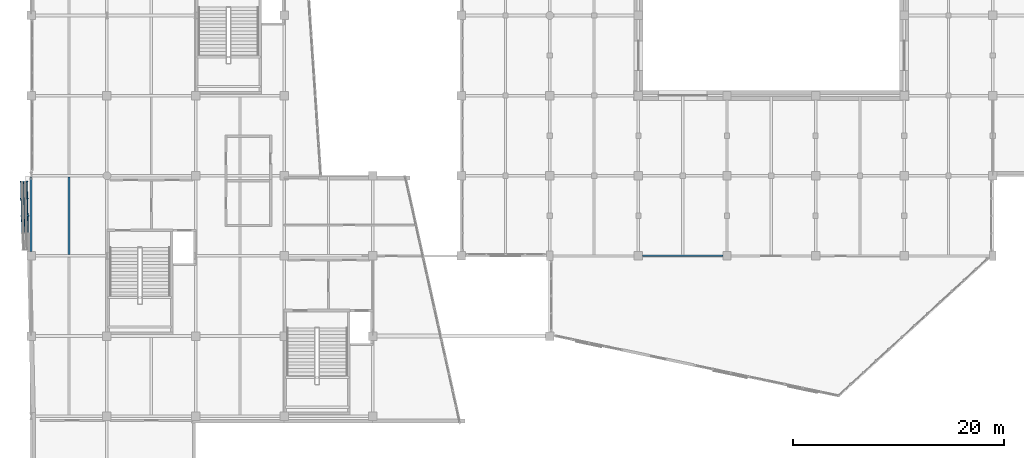
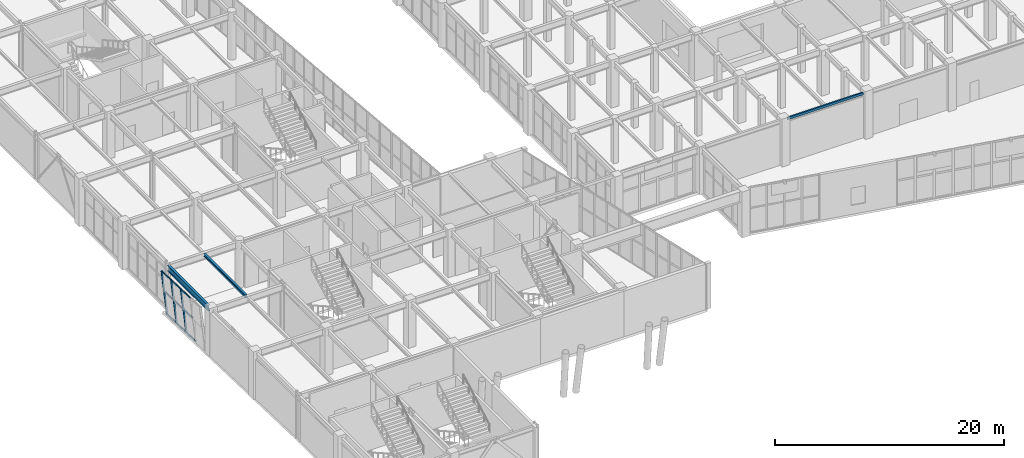
# One storey, part 15 of 128: 12 members, 3 beams, 1 element without a shape of its own.
"""IFC4 building model written with IfcOpenShell, lengths in metres."""

from ifc_helpers import new_model, si_unit, direction, frame, origin, origin_2d, place, context, subcontext, project, spatial, hollow_rectangle, i_section, extrude, material, layer, layer_set, material_profile, profile_set, type_object, element, aggregate, save


model = new_model("IFC4")

# Units and contexts
model_context = context("Model", 3, precision=1e-05, world=origin(), true_north=direction((0.0, 1.0)))
body_context = subcontext(model_context, "Body", "Model", "MODEL_VIEW")
ifc_project = project(units=[si_unit("LENGTHUNIT", "METRE"), si_unit("AREAUNIT", "SQUARE_METRE"), si_unit("VOLUMEUNIT", "CUBIC_METRE"), si_unit("PLANEANGLEUNIT", "RADIAN"), si_unit("MASSUNIT", "GRAM", prefix="KILO")], contexts=[model_context])

# Site, building, storey
site_placement = place(None, origin())
site = spatial("IfcSite", under=ifc_project, at=site_placement, CompositionType="ELEMENT")
building_placement = place(site_placement, origin())
building = spatial("IfcBuilding", under=site, at=building_placement, Name="Xicomal Pleat Aquarium", CompositionType="ELEMENT")
storey_placement = place(building_placement, frame((0.0, 0.0, 5.39990234375)))
storey = spatial("IfcBuildingStorey", under=building, at=storey_placement, Name="L02", CompositionType="ELEMENT", Elevation=5.39990234375)

# Beams
ifc_material_1 = material(Name="Structural steel A992 Gr 50", Category="steel")
ifc_material_profile_1 = material_profile(ifc_material_1, i_section(OverallWidth=0.202880859375, OverallDepth=0.302978515625, WebThickness=0.007568359375, FlangeThickness=0.01318359375, at=origin_2d()), Name="IR 310x60")
ifc_profile_set_1 = profile_set([ifc_material_profile_1], Name="Structural steel A992 Gr 50")
beam_type_1 = type_object("IfcBeamType", Name="BM-STL-IR310", PredefinedType="JOIST", material=ifc_profile_set_1)
beam_1_placement = place(storey_placement, frame((6.60009765625, 30.531005859375, 4.70849609375), z_axis=(0.0, 1.0, 0.0), x_axis=(-1.0, 0.0, 0.0)))
element("IfcBeam", 1, at=beam_1_placement, inside=storey, type_object=beam_type_1, Name="L02 framing beam FBJ-L02-01-E-1", PredefinedType="JOIST", context=body_context, shape_type="SweptSolid", body=[
    extrude(i_section(OverallWidth=0.202880859375, OverallDepth=0.302978515625, WebThickness=0.007568359375, FlangeThickness=0.01318359375, at=origin_2d()), origin(), (0.0, 0.0, 1.0), 7.337890625),
])
ifc_material_2 = material(Name="Structural steel A992 Gr 50", Category="steel")
ifc_material_profile_2 = material_profile(ifc_material_2, i_section(OverallWidth=0.22998046875, OverallDepth=0.616943359375, WebThickness=0.01318359375, FlangeThickness=0.022216796875, at=origin_2d()), Name="IR 610x140")
ifc_profile_set_2 = profile_set([ifc_material_profile_2], Name="Structural steel A992 Gr 50")
beam_type_2 = type_object("IfcBeamType", Name="BM-STL-IR610", PredefinedType="BEAM", material=ifc_profile_set_2)
beam_2_placement = place(storey_placement, frame((3.0, 30.794921875, 4.551513671875), z_axis=(0.0, 1.0, 0.0), x_axis=(-1.0, 0.0, 0.0)))
element("IfcBeam", 2, at=beam_2_placement, inside=storey, type_object=beam_type_2, Name="L02 framing beam FGY-L02-01-E-F", PredefinedType="BEAM", context=body_context, shape_type="SweptSolid", body=[
    extrude(i_section(OverallWidth=0.22998046875, OverallDepth=0.616943359375, WebThickness=0.01318359375, FlangeThickness=0.022216796875, at=origin_2d()), origin(), (0.0, 0.0, 1.0), 7.094970703125),
])
ifc_material_3 = material(Name="Structural steel A500 Gr C", Category="steel")
ifc_material_profile_3 = material_profile(ifc_material_3, hollow_rectangle(XDim=0.14990234375, YDim=0.25, WallThickness=0.010009765625, at=origin_2d()), Name="OR 250x150x10")
ifc_profile_set_3 = profile_set([ifc_material_profile_3], Name="Structural steel A500 Gr C")
beam_type_3 = type_object("IfcBeamType", Name="BM-STL-OR250", PredefinedType="SPANDREL", material=ifc_profile_set_3)
beam_3_placement = place(storey_placement, frame((60.9951171875, 30.39990234375, 4.695068359375), z_axis=(1.0, 0.0, 0.0), x_axis=(0.0, 1.0, 0.0)))
element("IfcBeam", 3, at=beam_3_placement, inside=storey, type_object=beam_type_3, Name="L02 framing beam FGX-L02-08-09-E", PredefinedType="SPANDREL", context=body_context, shape_type="SweptSolid", body=[
    extrude(hollow_rectangle(XDim=0.14990234375, YDim=0.25, WallThickness=0.010009765625, at=origin_2d()), origin(), (0.0, 0.0, 1.0), 7.60986328125),
])

# Curtain wall, members
ifc_material_4 = material(Name="Bronze anodized aluminium 6063-T6", Category="aluminium")
ifc_layer = layer(ifc_material_4, 0.159912109375)
ifc_layer_set = layer_set([ifc_layer], Name="Bronze anodized aluminium 6063-T6")
curtain_wall_type = type_object("IfcCurtainWallType", Name="CW-SYS-02", PredefinedType="NOTDEFINED", material=ifc_layer_set)
curtain_wall_placement = place(storey_placement, origin())
curtain_wall = element("IfcCurtainWall", 4, at=curtain_wall_placement, inside=storey, type_object=curtain_wall_type, Name="L02 unitised curtain wall CW-L02-141", PredefinedType="NOTDEFINED")
ifc_material_5 = material(Name="Bronze anodized aluminium 6063-T6", Category="aluminium")
ifc_material_profile_4 = material_profile(ifc_material_5, hollow_rectangle(XDim=0.06494140625, YDim=0.159912109375, WallThickness=0.00390625, at=origin_2d()), Name="ALU MULL 65x160")
ifc_profile_set_4 = profile_set([ifc_material_profile_4], Name="Bronze anodized aluminium 6063-T6")
member_type_1 = type_object("IfcMemberType", Name="CWM-65x160", PredefinedType="MULLION", material=ifc_profile_set_4)
member_1_placement = place(storey_placement, frame((2.68994140625, 34.201416015625, 0.0), z_axis=(-0.118365831965, -0.00279329397, 0.992966125974), x_axis=(-0.046958068744, 0.998892971674, -0.002787637048)))
member_1 = element("IfcMember", 5, at=member_1_placement, type_object=member_type_1, Name="CW-02 mullion 3", PredefinedType="MULLION", context=body_context, shape_type="SweptSolid", body=[
    extrude(hollow_rectangle(XDim=0.06494140625, YDim=0.159912109375, WallThickness=0.00390625, at=origin_2d()), origin(), (0.0, 0.0, 1.0), 4.89453125),
])
member_2_placement = place(storey_placement, frame((2.651611328125, 35.836181640625, 0.0), z_axis=(-0.118365831965, -0.00279329397, 0.992966125974), x_axis=(-0.046958068744, 0.998892971674, -0.002787637048)))
member_2 = element("IfcMember", 6, at=member_2_placement, type_object=member_type_1, Name="CW-02 mullion 4", PredefinedType="MULLION", context=body_context, shape_type="SweptSolid", body=[
    extrude(hollow_rectangle(XDim=0.06494140625, YDim=0.159912109375, WallThickness=0.00390625, at=origin_2d()), origin(), (0.0, 0.0, 1.0), 4.89453125),
])
member_3_placement = place(storey_placement, frame((2.61376953125, 37.4384765625, 0.0), z_axis=(-0.118365831965, -0.00279329397, 0.992966125974), x_axis=(-0.046958068744, 0.998892971674, -0.002787637048)))
member_3 = element("IfcMember", 7, at=member_3_placement, type_object=member_type_1, Name="CW-02 mullion 5", PredefinedType="MULLION", context=body_context, shape_type="SweptSolid", body=[
    extrude(hollow_rectangle(XDim=0.06494140625, YDim=0.159912109375, WallThickness=0.00390625, at=origin_2d()), origin(), (0.0, 0.0, 1.0), 4.89453125),
])
ifc_material_6 = material(Name="Bronze anodized aluminium 6063-T6", Category="aluminium")
ifc_material_profile_5 = material_profile(ifc_material_6, hollow_rectangle(XDim=0.06494140625, YDim=0.1298828125, WallThickness=0.00390625, at=origin_2d()), Name="ALU TRAN 65x130")
ifc_profile_set_5 = profile_set([ifc_material_profile_5], Name="Bronze anodized aluminium 6063-T6")
member_type_2 = type_object("IfcMemberType", Name="CWT-65x130", PredefinedType="USERDEFINED", material=ifc_profile_set_5)
member_4_placement = place(storey_placement, frame((2.723876953125, 32.59912109375, 0.03271484375), z_axis=(-0.023477197553, 0.999724372612, 0.0), x_axis=(-0.999724372612, -0.023477197553, 0.0)))
member_4 = element("IfcMember", 8, at=member_4_placement, type_object=member_type_2, Name="CW-02 transom 2.1", ObjectType="TRANSOM", PredefinedType="USERDEFINED", context=body_context, shape_type="SweptSolid", body=[
    extrude(hollow_rectangle(XDim=0.06494140625, YDim=0.1298828125, WallThickness=0.00390625, at=origin_2d()), origin(), (0.0, 0.0, 1.0), 1.5703125),
])
member_5_placement = place(storey_placement, frame((2.4150390625, 32.591796875, 2.6240234375), z_axis=(-0.023632589133, 0.999720711364, 0.0), x_axis=(-0.999720711364, -0.023632589133, 0.0)))
member_5 = element("IfcMember", 9, at=member_5_placement, type_object=member_type_2, Name="CW-02 transom 2.2", ObjectType="TRANSOM", PredefinedType="USERDEFINED", context=body_context, shape_type="SweptSolid", body=[
    extrude(hollow_rectangle(XDim=0.06494140625, YDim=0.1298828125, WallThickness=0.00390625, at=origin_2d()), origin(), (0.0, 0.0, 1.0), 1.5703125),
])
member_6_placement = place(storey_placement, frame((2.15234375, 32.585693359375, 4.82763671875), z_axis=(-0.023632589133, 0.999720711364, 0.0), x_axis=(-0.999720711364, -0.023632589133, 0.0)))
member_6 = element("IfcMember", 10, at=member_6_placement, type_object=member_type_2, Name="CW-02 transom 2.3", ObjectType="TRANSOM", PredefinedType="USERDEFINED", context=body_context, shape_type="SweptSolid", body=[
    extrude(hollow_rectangle(XDim=0.06494140625, YDim=0.1298828125, WallThickness=0.00390625, at=origin_2d()), origin(), (0.0, 0.0, 1.0), 1.5703125),
])
member_7_placement = place(storey_placement, frame((2.685302734375, 34.23388671875, 0.03271484375), z_axis=(-0.023477197553, 0.999724372612, 0.0), x_axis=(-0.999724372612, -0.023477197553, 0.0)))
member_7 = element("IfcMember", 11, at=member_7_placement, type_object=member_type_2, Name="CW-02 transom 3.1", ObjectType="TRANSOM", PredefinedType="USERDEFINED", context=body_context, shape_type="SweptSolid", body=[
    extrude(hollow_rectangle(XDim=0.06494140625, YDim=0.1298828125, WallThickness=0.00390625, at=origin_2d()), origin(), (0.0, 0.0, 1.0), 1.5703125),
])
member_8_placement = place(storey_placement, frame((2.37646484375, 34.2265625, 2.6240234375), z_axis=(-0.023477197553, 0.999724372612, 0.0), x_axis=(-0.999724372612, -0.023477197553, 0.0)))
member_8 = element("IfcMember", 12, at=member_8_placement, type_object=member_type_2, Name="CW-02 transom 3.2", ObjectType="TRANSOM", PredefinedType="USERDEFINED", context=body_context, shape_type="SweptSolid", body=[
    extrude(hollow_rectangle(XDim=0.06494140625, YDim=0.1298828125, WallThickness=0.00390625, at=origin_2d()), origin(), (0.0, 0.0, 1.0), 1.5703125),
])
member_9_placement = place(storey_placement, frame((2.11376953125, 34.220458984375, 4.82763671875), z_axis=(-0.023477197553, 0.999724372612, 0.0), x_axis=(-0.999724372612, -0.023477197553, 0.0)))
member_9 = element("IfcMember", 13, at=member_9_placement, type_object=member_type_2, Name="CW-02 transom 3.3", ObjectType="TRANSOM", PredefinedType="USERDEFINED", context=body_context, shape_type="SweptSolid", body=[
    extrude(hollow_rectangle(XDim=0.06494140625, YDim=0.1298828125, WallThickness=0.00390625, at=origin_2d()), origin(), (0.0, 0.0, 1.0), 1.5703125),
])
member_10_placement = place(storey_placement, frame((2.64697265625, 35.86865234375, 0.03271484375), z_axis=(-0.023655439966, 0.999720170928, 0.0), x_axis=(-0.999720170928, -0.023655439966, 0.0)))
member_10 = element("IfcMember", 14, at=member_10_placement, type_object=member_type_2, Name="CW-02 transom 4.1", ObjectType="TRANSOM", PredefinedType="USERDEFINED", context=body_context, shape_type="SweptSolid", body=[
    extrude(hollow_rectangle(XDim=0.06494140625, YDim=0.1298828125, WallThickness=0.00390625, at=origin_2d()), origin(), (0.0, 0.0, 1.0), 1.537841796875),
])
member_11_placement = place(storey_placement, frame((2.337890625, 35.861328125, 2.6240234375), z_axis=(-0.023496766572, 0.999723912868, 0.0), x_axis=(-0.999723912868, -0.023496766572, 0.0)))
member_11 = element("IfcMember", 15, at=member_11_placement, type_object=member_type_2, Name="CW-02 transom 4.2", ObjectType="TRANSOM", PredefinedType="USERDEFINED", context=body_context, shape_type="SweptSolid", body=[
    extrude(hollow_rectangle(XDim=0.06494140625, YDim=0.1298828125, WallThickness=0.00390625, at=origin_2d()), origin(), (0.0, 0.0, 1.0), 1.537841796875),
])
member_12_placement = place(storey_placement, frame((2.0751953125, 35.85498046875, 4.82763671875), z_axis=(-0.023496766572, 0.999723912868, 0.0), x_axis=(-0.999723912868, -0.023496766572, 0.0)))
member_12 = element("IfcMember", 16, at=member_12_placement, type_object=member_type_2, Name="CW-02 transom 4.3", ObjectType="TRANSOM", PredefinedType="USERDEFINED", context=body_context, shape_type="SweptSolid", body=[
    extrude(hollow_rectangle(XDim=0.06494140625, YDim=0.1298828125, WallThickness=0.00390625, at=origin_2d()), origin(), (0.0, 0.0, 1.0), 1.537841796875),
])
aggregate(curtain_wall, [member_1, member_2, member_3, member_4, member_5, member_6, member_7, member_8, member_9, member_10, member_11, member_12])

save(model, "model.ifc")
